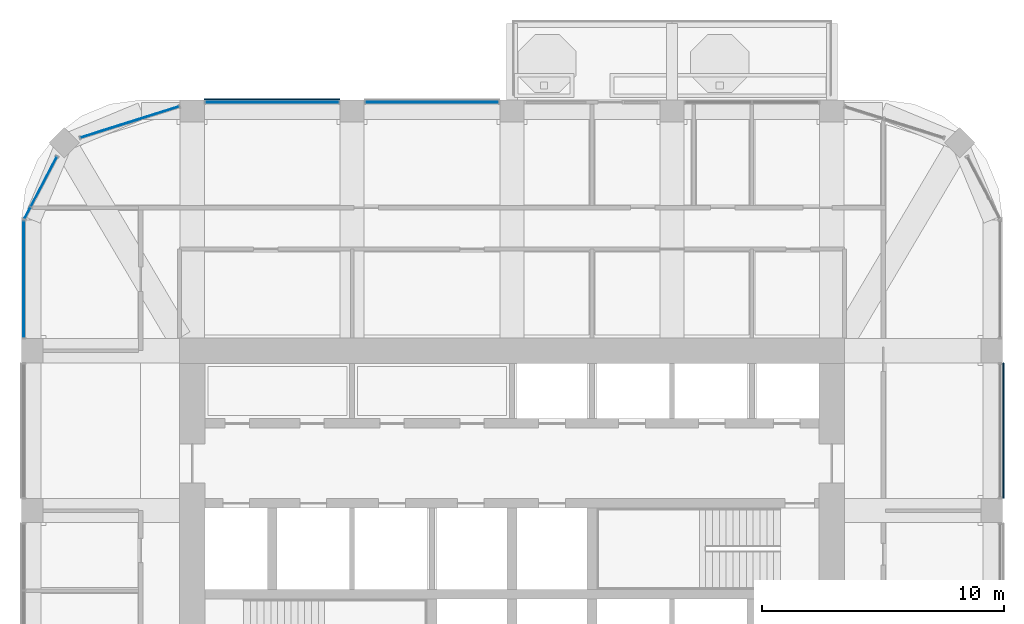
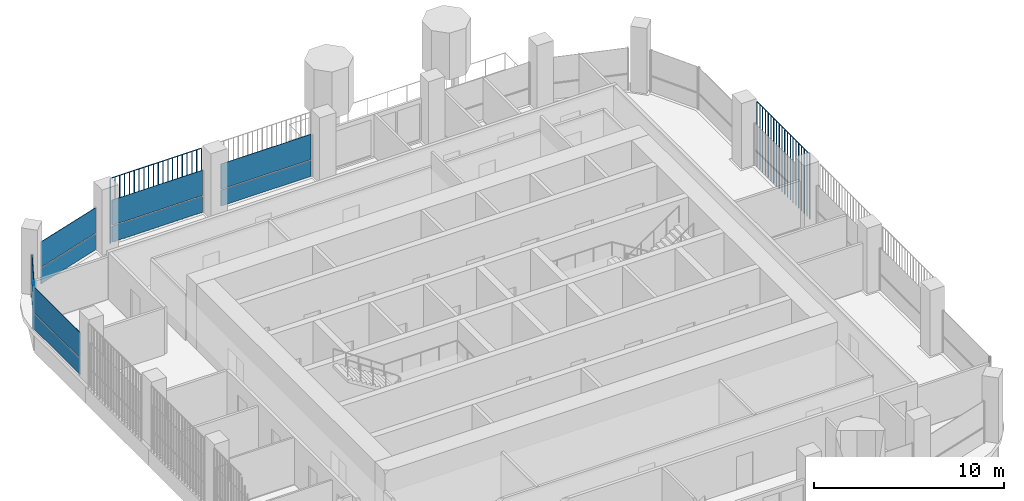
# One storey, part 12 of 21: 14 plates, 5 elements without a shape of their own.
"""IFC4 building model written with IfcOpenShell, lengths in metres."""

from ifc_helpers import new_model, si_unit, direction, frame, origin, origin_2d, place, context, subcontext, project, spatial, polyline, rectangle, outline, extrude, material, layer, layer_set, type_object, element, aggregate, save


model = new_model("IFC4")

# Units and contexts
model_context = context("Model", 3, precision=1e-05, world=origin(), true_north=direction((0.0, 1.0)))
body_context = subcontext(model_context, "Body", "Model", "MODEL_VIEW")
ifc_project = project(units=[si_unit("LENGTHUNIT", "METRE"), si_unit("AREAUNIT", "SQUARE_METRE"), si_unit("VOLUMEUNIT", "CUBIC_METRE"), si_unit("PLANEANGLEUNIT", "RADIAN"), si_unit("MASSUNIT", "GRAM", prefix="KILO")], contexts=[model_context])

# Site, building, storey
site_placement = place(None, origin())
site = spatial("IfcSite", under=ifc_project, at=site_placement, CompositionType="ELEMENT")
building_placement = place(site_placement, origin())
building = spatial("IfcBuilding", under=site, at=building_placement, Name="Cobogo Forest Laboratory Tower", CompositionType="ELEMENT")
storey_placement = place(building_placement, frame((0.0, 0.0, 283.800048828125)))
storey = spatial("IfcBuildingStorey", under=building, at=storey_placement, Name="L65", CompositionType="ELEMENT", Elevation=283.800048828125)

# Curtain wall, plates
ifc_material_1 = material(Name="Aluminium curtain wall", Category="aluminium")
curtain_wall_type = type_object("IfcCurtainWallType", Name="CW-2 unitised curtain wall, solar control glazing, laboratory floors zones C and D", PredefinedType="USERDEFINED", material=ifc_material_1)
curtain_wall_1_placement = place(storey_placement, origin())
curtain_wall_1 = element("IfcCurtainWall", 1, at=curtain_wall_1_placement, inside=storey, type_object=curtain_wall_type, Name="Curtain wall 16 L65", ObjectType="UNITISED CURTAIN WALL", PredefinedType="USERDEFINED")
ifc_material_2 = material(Name="Solar control insulated glass", Category="glass")
ifc_layer = layer(ifc_material_2, 0.031982421875)
ifc_layer_set = layer_set([ifc_layer], Name="GP-2 solar control glass unit 32")
plate_type_1 = type_object("IfcPlateType", Name="GP-2 solar control glass unit 32", PredefinedType="CURTAIN_PANEL", material=ifc_layer_set)
plate_1_placement = place(storey_placement, frame((23.10009765625, 43.25, 0.0), z_axis=(0.0, 0.0, 1.0), x_axis=(-1.0, 0.0, 0.0)))
plate_1 = element("IfcPlate", 2, at=plate_1_placement, type_object=plate_type_1, Name="CW-2 panel 1.1", PredefinedType="CURTAIN_PANEL", context=body_context, shape_type="SweptSolid", body=[
    extrude(rectangle(XDim=5.47998046875, YDim=0.031982421875, at=origin_2d()), origin(), (0.0, 0.0, 1.0), 1.02001953125),
])
plate_2_placement = place(storey_placement, frame((23.10009765625, 43.25, 1.079833984375), z_axis=(0.0, 0.0, 1.0), x_axis=(-1.0, 0.0, 0.0)))
plate_2 = element("IfcPlate", 3, at=plate_2_placement, type_object=plate_type_1, Name="CW-2 panel 1.2", PredefinedType="CURTAIN_PANEL", context=body_context, shape_type="SweptSolid", body=[
    extrude(rectangle(XDim=5.47998046875, YDim=0.031982421875, at=origin_2d()), origin(), (0.0, 0.0, 1.0), 1.6201171875),
])
aggregate(curtain_wall_1, [plate_1, plate_2])

curtain_wall_2_placement = place(storey_placement, origin())
curtain_wall_2 = element("IfcCurtainWall", 4, at=curtain_wall_2_placement, inside=storey, type_object=curtain_wall_type, Name="Curtain wall 17 L65", ObjectType="UNITISED CURTAIN WALL", PredefinedType="USERDEFINED")
plate_3_placement = place(storey_placement, frame((16.5, 43.25, 0.0), z_axis=(0.0, 0.0, 1.0), x_axis=(-1.0, 0.0, 0.0)))
plate_3 = element("IfcPlate", 5, at=plate_3_placement, type_object=plate_type_1, Name="CW-2 panel 1.1", PredefinedType="CURTAIN_PANEL", context=body_context, shape_type="SweptSolid", body=[
    extrude(rectangle(XDim=5.47998046875, YDim=0.031982421875, at=origin_2d()), origin(), (0.0, 0.0, 1.0), 1.02001953125),
])
plate_4_placement = place(storey_placement, frame((16.5, 43.25, 1.079833984375), z_axis=(0.0, 0.0, 1.0), x_axis=(-1.0, 0.0, 0.0)))
plate_4 = element("IfcPlate", 6, at=plate_4_placement, type_object=plate_type_1, Name="CW-2 panel 1.2", PredefinedType="CURTAIN_PANEL", context=body_context, shape_type="SweptSolid", body=[
    extrude(rectangle(XDim=5.47998046875, YDim=0.031982421875, at=origin_2d()), origin(), (0.0, 0.0, 1.0), 1.6201171875),
])
aggregate(curtain_wall_2, [plate_3, plate_4])

curtain_wall_3_placement = place(storey_placement, origin())
curtain_wall_3 = element("IfcCurtainWall", 7, at=curtain_wall_3_placement, inside=storey, type_object=curtain_wall_type, Name="Curtain wall 18 L65", ObjectType="UNITISED CURTAIN WALL", PredefinedType="USERDEFINED")
plate_5_placement = place(storey_placement, frame((10.62060546875, 42.435546875, 0.0), z_axis=(0.0, 0.0, 1.0), x_axis=(-0.953581379409, -0.301135439371, 0.0)))
plate_5 = element("IfcPlate", 8, at=plate_5_placement, type_object=plate_type_1, Name="CW-2 panel 1.1", PredefinedType="CURTAIN_PANEL", context=body_context, shape_type="SweptSolid", body=[
    extrude(rectangle(XDim=4.240966796875, YDim=0.031982421875, at=origin_2d()), origin(), (0.0, 0.0, 1.0), 1.02001953125),
])
plate_6_placement = place(storey_placement, frame((10.62060546875, 42.435546875, 1.079833984375), z_axis=(0.0, 0.0, 1.0), x_axis=(-0.953581379409, -0.301135439371, 0.0)))
plate_6 = element("IfcPlate", 9, at=plate_6_placement, type_object=plate_type_1, Name="CW-2 panel 1.2", PredefinedType="CURTAIN_PANEL", context=body_context, shape_type="SweptSolid", body=[
    extrude(rectangle(XDim=4.240966796875, YDim=0.031982421875, at=origin_2d()), origin(), (0.0, 0.0, 1.0), 1.6201171875),
])
aggregate(curtain_wall_3, [plate_5, plate_6])

curtain_wall_4_placement = place(storey_placement, origin())
curtain_wall_4 = element("IfcCurtainWall", 10, at=curtain_wall_4_placement, inside=storey, type_object=curtain_wall_type, Name="Curtain wall 19 L65", ObjectType="UNITISED CURTAIN WALL", PredefinedType="USERDEFINED")
plate_7_placement = place(storey_placement, frame((7.076904296875, 39.977294921875, 0.0), z_axis=(0.0, 0.0, 1.0), x_axis=(-0.464283778337, -0.885686498245, 0.0)))
plate_7 = element("IfcPlate", 11, at=plate_7_placement, type_object=plate_type_1, Name="CW-2 panel 1.1", PredefinedType="CURTAIN_PANEL", context=body_context, shape_type="SweptSolid", body=[
    extrude(rectangle(XDim=2.28857421875, YDim=0.031982421875, at=origin_2d()), origin(), (0.0, 0.0, 1.0), 1.02001953125),
])
plate_8_placement = place(storey_placement, frame((7.076904296875, 39.977294921875, 1.079833984375), z_axis=(0.0, 0.0, 1.0), x_axis=(-0.464283778337, -0.885686498245, 0.0)))
plate_8 = element("IfcPlate", 12, at=plate_8_placement, type_object=plate_type_1, Name="CW-2 panel 1.2", PredefinedType="CURTAIN_PANEL", context=body_context, shape_type="SweptSolid", body=[
    extrude(rectangle(XDim=2.28857421875, YDim=0.031982421875, at=origin_2d()), origin(), (0.0, 0.0, 1.0), 1.6201171875),
])
plate_9_placement = place(storey_placement, frame((6.397705078125, 38.681884765625, 0.0), z_axis=(0.0, 0.0, 1.0), x_axis=(-0.464283778337, -0.885686498245, 0.0)))
plate_9 = element("IfcPlate", 13, at=plate_9_placement, type_object=plate_type_1, Name="CW-2 panel 2.1", PredefinedType="CURTAIN_PANEL", context=body_context, shape_type="SweptSolid", body=[
    extrude(rectangle(XDim=0.516357421875, YDim=0.031982421875, at=origin_2d()), origin(), (0.0, 0.0, 1.0), 1.02001953125),
])
plate_10_placement = place(storey_placement, frame((6.397705078125, 38.681884765625, 1.079833984375), z_axis=(0.0, 0.0, 1.0), x_axis=(-0.464283778337, -0.885686498245, 0.0)))
plate_10 = element("IfcPlate", 14, at=plate_10_placement, type_object=plate_type_1, Name="CW-2 panel 2.2", PredefinedType="CURTAIN_PANEL", context=body_context, shape_type="SweptSolid", body=[
    extrude(rectangle(XDim=0.516357421875, YDim=0.031982421875, at=origin_2d()), origin(), (0.0, 0.0, 1.0), 1.6201171875),
])
aggregate(curtain_wall_4, [plate_7, plate_8, plate_9, plate_10])

curtain_wall_5_placement = place(storey_placement, origin())
curtain_wall_5 = element("IfcCurtainWall", 15, at=curtain_wall_5_placement, inside=storey, type_object=curtain_wall_type, Name="Curtain wall 20 L65", ObjectType="UNITISED CURTAIN WALL", PredefinedType="USERDEFINED")
plate_11_placement = place(storey_placement, frame((6.25, 35.949951171875, 0.0), z_axis=(0.0, 0.0, 1.0), x_axis=(0.0, -1.0, 0.0)))
plate_11 = element("IfcPlate", 16, at=plate_11_placement, type_object=plate_type_1, Name="CW-2 panel 1.1", PredefinedType="CURTAIN_PANEL", context=body_context, shape_type="SweptSolid", body=[
    extrude(rectangle(XDim=4.780029296875, YDim=0.031982421875, at=origin_2d()), origin(), (0.0, 0.0, 1.0), 1.02001953125),
])
plate_12_placement = place(storey_placement, frame((6.25, 35.949951171875, 1.079833984375), z_axis=(0.0, 0.0, 1.0), x_axis=(0.0, -1.0, 0.0)))
plate_12 = element("IfcPlate", 17, at=plate_12_placement, type_object=plate_type_1, Name="CW-2 panel 1.2", PredefinedType="CURTAIN_PANEL", context=body_context, shape_type="SweptSolid", body=[
    extrude(rectangle(XDim=4.780029296875, YDim=0.031982421875, at=origin_2d()), origin(), (0.0, 0.0, 1.0), 1.6201171875),
])
aggregate(curtain_wall_5, [plate_11, plate_12])

# Plates
ifc_material_3 = material(Name="Terracotta", Category="masonry")
plate_type_2 = type_object("IfcPlateType", Name="TB1 terracotta baguette screen", PredefinedType="USERDEFINED", material=ifc_material_3)
plate_13_placement = place(storey_placement, frame((46.677978515625, 26.93115234375, -0.150146484375)))
element("IfcPlate", 18, at=plate_13_placement, inside=storey, type_object=plate_type_2, Name="Baguette screen E3 L65", ObjectType="BAGUETTE SCREEN", PredefinedType="USERDEFINED", context=body_context, shape_type="SweptSolid", body=[
    extrude(outline(polyline([(0.02880859375, 0.011962890625), (0.011962890625, 0.02880859375), (-0.011962890625, 0.02880859375), (-0.02880859375, 0.011962890625), (-0.02880859375, -0.011962890625), (-0.011962890625, -0.02880859375), (0.011962890625, -0.02880859375), (0.02880859375, -0.011962890625), (0.02880859375, 0.011962890625)])), frame((0.0, 0.0, 4.168701171875), z_axis=(0.0, 1.0, 0.0), x_axis=(-1.0, 0.0, 0.0)), (0.0, 0.0, 1.0), 5.53759765625),
    extrude(outline(polyline([(0.02880859375, 0.011962890625), (0.011962890625, 0.02880859375), (-0.011962890625, 0.02880859375), (-0.02880859375, 0.011962890625), (-0.02880859375, -0.011962890625), (-0.011962890625, -0.02880859375), (0.011962890625, -0.02880859375), (0.02880859375, -0.011962890625), (0.02880859375, 0.011962890625)])), origin(), (0.0, 0.0, 1.0), 4.137451171875),
    extrude(outline(polyline([(0.02880859375, 0.011962890625), (0.011962890625, 0.02880859375), (-0.011962890625, 0.02880859375), (-0.02880859375, 0.011962890625), (-0.02880859375, -0.011962890625), (-0.011962890625, -0.02880859375), (0.011962890625, -0.02880859375), (0.02880859375, -0.011962890625), (0.02880859375, 0.011962890625)])), frame((0.0, 0.29150390625, 0.0)), (0.0, 0.0, 1.0), 4.137451171875),
    extrude(outline(polyline([(0.02880859375, 0.011962890625), (0.011962890625, 0.02880859375), (-0.011962890625, 0.02880859375), (-0.02880859375, 0.011962890625), (-0.02880859375, -0.011962890625), (-0.011962890625, -0.02880859375), (0.011962890625, -0.02880859375), (0.02880859375, -0.011962890625), (0.02880859375, 0.011962890625)])), frame((0.0, 0.5830078125, 0.0)), (0.0, 0.0, 1.0), 4.137451171875),
    extrude(outline(polyline([(0.02880859375, 0.011962890625), (0.011962890625, 0.02880859375), (-0.011962890625, 0.02880859375), (-0.02880859375, 0.011962890625), (-0.02880859375, -0.011962890625), (-0.011962890625, -0.02880859375), (0.011962890625, -0.02880859375), (0.02880859375, -0.011962890625), (0.02880859375, 0.011962890625)])), frame((0.0, 0.874267578125, 0.0)), (0.0, 0.0, 1.0), 4.137451171875),
    extrude(outline(polyline([(0.02880859375, 0.011962890625), (0.011962890625, 0.02880859375), (-0.011962890625, 0.02880859375), (-0.02880859375, 0.011962890625), (-0.02880859375, -0.011962890625), (-0.011962890625, -0.02880859375), (0.011962890625, -0.02880859375), (0.02880859375, -0.011962890625), (0.02880859375, 0.011962890625)])), frame((0.0, 1.165771484375, 0.0)), (0.0, 0.0, 1.0), 4.137451171875),
    extrude(outline(polyline([(0.02880859375, 0.011962890625), (0.011962890625, 0.02880859375), (-0.011962890625, 0.02880859375), (-0.02880859375, 0.011962890625), (-0.02880859375, -0.011962890625), (-0.011962890625, -0.02880859375), (0.011962890625, -0.02880859375), (0.02880859375, -0.011962890625), (0.02880859375, 0.011962890625)])), frame((0.0, 1.457275390625, 0.0)), (0.0, 0.0, 1.0), 4.137451171875),
    extrude(outline(polyline([(0.02880859375, 0.011962890625), (0.011962890625, 0.02880859375), (-0.011962890625, 0.02880859375), (-0.02880859375, 0.011962890625), (-0.02880859375, -0.011962890625), (-0.011962890625, -0.02880859375), (0.011962890625, -0.02880859375), (0.02880859375, -0.011962890625), (0.02880859375, 0.011962890625)])), frame((0.0, 1.748779296875, 0.0)), (0.0, 0.0, 1.0), 4.137451171875),
    extrude(outline(polyline([(0.02880859375, 0.011962890625), (0.011962890625, 0.02880859375), (-0.011962890625, 0.02880859375), (-0.02880859375, 0.011962890625), (-0.02880859375, -0.011962890625), (-0.011962890625, -0.02880859375), (0.011962890625, -0.02880859375), (0.02880859375, -0.011962890625), (0.02880859375, 0.011962890625)])), frame((0.0, 2.040283203125, 0.0)), (0.0, 0.0, 1.0), 4.137451171875),
    extrude(outline(polyline([(0.02880859375, 0.011962890625), (0.011962890625, 0.02880859375), (-0.011962890625, 0.02880859375), (-0.02880859375, 0.011962890625), (-0.02880859375, -0.011962890625), (-0.011962890625, -0.02880859375), (0.011962890625, -0.02880859375), (0.02880859375, -0.011962890625), (0.02880859375, 0.011962890625)])), frame((0.0, 2.33154296875, 0.0)), (0.0, 0.0, 1.0), 4.137451171875),
    extrude(outline(polyline([(0.02880859375, 0.011962890625), (0.011962890625, 0.02880859375), (-0.011962890625, 0.02880859375), (-0.02880859375, 0.011962890625), (-0.02880859375, -0.011962890625), (-0.011962890625, -0.02880859375), (0.011962890625, -0.02880859375), (0.02880859375, -0.011962890625), (0.02880859375, 0.011962890625)])), frame((0.0, 2.623046875, 0.0)), (0.0, 0.0, 1.0), 4.137451171875),
    extrude(outline(polyline([(0.02880859375, 0.011962890625), (0.011962890625, 0.02880859375), (-0.011962890625, 0.02880859375), (-0.02880859375, 0.011962890625), (-0.02880859375, -0.011962890625), (-0.011962890625, -0.02880859375), (0.011962890625, -0.02880859375), (0.02880859375, -0.011962890625), (0.02880859375, 0.011962890625)])), frame((0.0, 2.91455078125, 0.0)), (0.0, 0.0, 1.0), 4.137451171875),
    extrude(outline(polyline([(0.02880859375, 0.011962890625), (0.011962890625, 0.02880859375), (-0.011962890625, 0.02880859375), (-0.02880859375, 0.011962890625), (-0.02880859375, -0.011962890625), (-0.011962890625, -0.02880859375), (0.011962890625, -0.02880859375), (0.02880859375, -0.011962890625), (0.02880859375, 0.011962890625)])), frame((0.0, 3.2060546875, 0.0)), (0.0, 0.0, 1.0), 4.137451171875),
    extrude(outline(polyline([(0.02880859375, 0.011962890625), (0.011962890625, 0.02880859375), (-0.011962890625, 0.02880859375), (-0.02880859375, 0.011962890625), (-0.02880859375, -0.011962890625), (-0.011962890625, -0.02880859375), (0.011962890625, -0.02880859375), (0.02880859375, -0.011962890625), (0.02880859375, 0.011962890625)])), frame((0.0, 3.497314453125, 0.0)), (0.0, 0.0, 1.0), 4.137451171875),
    extrude(outline(polyline([(0.02880859375, 0.011962890625), (0.011962890625, 0.02880859375), (-0.011962890625, 0.02880859375), (-0.02880859375, 0.011962890625), (-0.02880859375, -0.011962890625), (-0.011962890625, -0.02880859375), (0.011962890625, -0.02880859375), (0.02880859375, -0.011962890625), (0.02880859375, 0.011962890625)])), frame((0.0, 3.788818359375, 0.0)), (0.0, 0.0, 1.0), 4.137451171875),
    extrude(outline(polyline([(0.02880859375, 0.011962890625), (0.011962890625, 0.02880859375), (-0.011962890625, 0.02880859375), (-0.02880859375, 0.011962890625), (-0.02880859375, -0.011962890625), (-0.011962890625, -0.02880859375), (0.011962890625, -0.02880859375), (0.02880859375, -0.011962890625), (0.02880859375, 0.011962890625)])), frame((0.0, 4.080322265625, 0.0)), (0.0, 0.0, 1.0), 4.137451171875),
    extrude(outline(polyline([(0.02880859375, 0.011962890625), (0.011962890625, 0.02880859375), (-0.011962890625, 0.02880859375), (-0.02880859375, 0.011962890625), (-0.02880859375, -0.011962890625), (-0.011962890625, -0.02880859375), (0.011962890625, -0.02880859375), (0.02880859375, -0.011962890625), (0.02880859375, 0.011962890625)])), frame((0.0, 4.371826171875, 0.0)), (0.0, 0.0, 1.0), 4.137451171875),
    extrude(outline(polyline([(0.02880859375, 0.011962890625), (0.011962890625, 0.02880859375), (-0.011962890625, 0.02880859375), (-0.02880859375, 0.011962890625), (-0.02880859375, -0.011962890625), (-0.011962890625, -0.02880859375), (0.011962890625, -0.02880859375), (0.02880859375, -0.011962890625), (0.02880859375, 0.011962890625)])), frame((0.0, 4.663330078125, 0.0)), (0.0, 0.0, 1.0), 4.137451171875),
    extrude(outline(polyline([(0.02880859375, 0.011962890625), (0.011962890625, 0.02880859375), (-0.011962890625, 0.02880859375), (-0.02880859375, 0.011962890625), (-0.02880859375, -0.011962890625), (-0.011962890625, -0.02880859375), (0.011962890625, -0.02880859375), (0.02880859375, -0.011962890625), (0.02880859375, 0.011962890625)])), frame((0.0, 4.95458984375, 0.0)), (0.0, 0.0, 1.0), 4.137451171875),
    extrude(outline(polyline([(0.02880859375, 0.011962890625), (0.011962890625, 0.02880859375), (-0.011962890625, 0.02880859375), (-0.02880859375, 0.011962890625), (-0.02880859375, -0.011962890625), (-0.011962890625, -0.02880859375), (0.011962890625, -0.02880859375), (0.02880859375, -0.011962890625), (0.02880859375, 0.011962890625)])), frame((0.0, 5.24609375, 0.0)), (0.0, 0.0, 1.0), 4.137451171875),
    extrude(outline(polyline([(0.02880859375, 0.011962890625), (0.011962890625, 0.02880859375), (-0.011962890625, 0.02880859375), (-0.02880859375, 0.011962890625), (-0.02880859375, -0.011962890625), (-0.011962890625, -0.02880859375), (0.011962890625, -0.02880859375), (0.02880859375, -0.011962890625), (0.02880859375, 0.011962890625)])), frame((0.0, 5.53759765625, 0.0)), (0.0, 0.0, 1.0), 4.137451171875),
])
plate_14_placement = place(storey_placement, frame((13.731201171875, 43.3779296875, -0.150146484375)))
element("IfcPlate", 19, at=plate_14_placement, inside=storey, type_object=plate_type_2, Name="Baguette screen N1 L65", ObjectType="BAGUETTE SCREEN", PredefinedType="USERDEFINED", context=body_context, shape_type="SweptSolid", body=[
    extrude(outline(polyline([(0.02880859375, 0.011962890625), (0.011962890625, 0.02880859375), (-0.011962890625, 0.02880859375), (-0.02880859375, 0.011962890625), (-0.02880859375, -0.011962890625), (-0.011962890625, -0.02880859375), (0.011962890625, -0.02880859375), (0.02880859375, -0.011962890625), (0.02880859375, 0.011962890625)])), frame((0.0, 0.0, 4.168701171875), z_axis=(1.0, 0.0, 0.0), x_axis=(0.0, 1.0, 0.0)), (0.0, 0.0, 1.0), 5.53759765625),
    extrude(outline(polyline([(0.02880859375, 0.011962890625), (0.011962890625, 0.02880859375), (-0.011962890625, 0.02880859375), (-0.02880859375, 0.011962890625), (-0.02880859375, -0.011962890625), (-0.011962890625, -0.02880859375), (0.011962890625, -0.02880859375), (0.02880859375, -0.011962890625), (0.02880859375, 0.011962890625)])), origin(), (0.0, 0.0, 1.0), 4.137451171875),
    extrude(outline(polyline([(0.02880859375, 0.011962890625), (0.011962890625, 0.02880859375), (-0.011962890625, 0.02880859375), (-0.02880859375, 0.011962890625), (-0.02880859375, -0.011962890625), (-0.011962890625, -0.02880859375), (0.011962890625, -0.02880859375), (0.02880859375, -0.011962890625), (0.02880859375, 0.011962890625)])), frame((0.29150390625, 0.0, 0.0)), (0.0, 0.0, 1.0), 4.137451171875),
    extrude(outline(polyline([(0.02880859375, 0.011962890625), (0.011962890625, 0.02880859375), (-0.011962890625, 0.02880859375), (-0.02880859375, 0.011962890625), (-0.02880859375, -0.011962890625), (-0.011962890625, -0.02880859375), (0.011962890625, -0.02880859375), (0.02880859375, -0.011962890625), (0.02880859375, 0.011962890625)])), frame((0.5830078125, 0.0, 0.0)), (0.0, 0.0, 1.0), 4.137451171875),
    extrude(outline(polyline([(0.02880859375, 0.011962890625), (0.011962890625, 0.02880859375), (-0.011962890625, 0.02880859375), (-0.02880859375, 0.011962890625), (-0.02880859375, -0.011962890625), (-0.011962890625, -0.02880859375), (0.011962890625, -0.02880859375), (0.02880859375, -0.011962890625), (0.02880859375, 0.011962890625)])), frame((0.874267578125, 0.0, 0.0)), (0.0, 0.0, 1.0), 4.137451171875),
    extrude(outline(polyline([(0.02880859375, 0.011962890625), (0.011962890625, 0.02880859375), (-0.011962890625, 0.02880859375), (-0.02880859375, 0.011962890625), (-0.02880859375, -0.011962890625), (-0.011962890625, -0.02880859375), (0.011962890625, -0.02880859375), (0.02880859375, -0.011962890625), (0.02880859375, 0.011962890625)])), frame((1.165771484375, 0.0, 0.0)), (0.0, 0.0, 1.0), 4.137451171875),
    extrude(outline(polyline([(0.02880859375, 0.011962890625), (0.011962890625, 0.02880859375), (-0.011962890625, 0.02880859375), (-0.02880859375, 0.011962890625), (-0.02880859375, -0.011962890625), (-0.011962890625, -0.02880859375), (0.011962890625, -0.02880859375), (0.02880859375, -0.011962890625), (0.02880859375, 0.011962890625)])), frame((1.457275390625, 0.0, 0.0)), (0.0, 0.0, 1.0), 4.137451171875),
    extrude(outline(polyline([(0.02880859375, 0.011962890625), (0.011962890625, 0.02880859375), (-0.011962890625, 0.02880859375), (-0.02880859375, 0.011962890625), (-0.02880859375, -0.011962890625), (-0.011962890625, -0.02880859375), (0.011962890625, -0.02880859375), (0.02880859375, -0.011962890625), (0.02880859375, 0.011962890625)])), frame((1.748779296875, 0.0, 0.0)), (0.0, 0.0, 1.0), 4.137451171875),
    extrude(outline(polyline([(0.02880859375, 0.011962890625), (0.011962890625, 0.02880859375), (-0.011962890625, 0.02880859375), (-0.02880859375, 0.011962890625), (-0.02880859375, -0.011962890625), (-0.011962890625, -0.02880859375), (0.011962890625, -0.02880859375), (0.02880859375, -0.011962890625), (0.02880859375, 0.011962890625)])), frame((2.040283203125, 0.0, 0.0)), (0.0, 0.0, 1.0), 4.137451171875),
    extrude(outline(polyline([(0.02880859375, 0.011962890625), (0.011962890625, 0.02880859375), (-0.011962890625, 0.02880859375), (-0.02880859375, 0.011962890625), (-0.02880859375, -0.011962890625), (-0.011962890625, -0.02880859375), (0.011962890625, -0.02880859375), (0.02880859375, -0.011962890625), (0.02880859375, 0.011962890625)])), frame((2.33154296875, 0.0, 0.0)), (0.0, 0.0, 1.0), 4.137451171875),
    extrude(outline(polyline([(0.02880859375, 0.011962890625), (0.011962890625, 0.02880859375), (-0.011962890625, 0.02880859375), (-0.02880859375, 0.011962890625), (-0.02880859375, -0.011962890625), (-0.011962890625, -0.02880859375), (0.011962890625, -0.02880859375), (0.02880859375, -0.011962890625), (0.02880859375, 0.011962890625)])), frame((2.623046875, 0.0, 0.0)), (0.0, 0.0, 1.0), 4.137451171875),
    extrude(outline(polyline([(0.02880859375, 0.011962890625), (0.011962890625, 0.02880859375), (-0.011962890625, 0.02880859375), (-0.02880859375, 0.011962890625), (-0.02880859375, -0.011962890625), (-0.011962890625, -0.02880859375), (0.011962890625, -0.02880859375), (0.02880859375, -0.011962890625), (0.02880859375, 0.011962890625)])), frame((2.91455078125, 0.0, 0.0)), (0.0, 0.0, 1.0), 4.137451171875),
    extrude(outline(polyline([(0.02880859375, 0.011962890625), (0.011962890625, 0.02880859375), (-0.011962890625, 0.02880859375), (-0.02880859375, 0.011962890625), (-0.02880859375, -0.011962890625), (-0.011962890625, -0.02880859375), (0.011962890625, -0.02880859375), (0.02880859375, -0.011962890625), (0.02880859375, 0.011962890625)])), frame((3.2060546875, 0.0, 0.0)), (0.0, 0.0, 1.0), 4.137451171875),
    extrude(outline(polyline([(0.02880859375, 0.011962890625), (0.011962890625, 0.02880859375), (-0.011962890625, 0.02880859375), (-0.02880859375, 0.011962890625), (-0.02880859375, -0.011962890625), (-0.011962890625, -0.02880859375), (0.011962890625, -0.02880859375), (0.02880859375, -0.011962890625), (0.02880859375, 0.011962890625)])), frame((3.497314453125, 0.0, 0.0)), (0.0, 0.0, 1.0), 4.137451171875),
    extrude(outline(polyline([(0.02880859375, 0.011962890625), (0.011962890625, 0.02880859375), (-0.011962890625, 0.02880859375), (-0.02880859375, 0.011962890625), (-0.02880859375, -0.011962890625), (-0.011962890625, -0.02880859375), (0.011962890625, -0.02880859375), (0.02880859375, -0.011962890625), (0.02880859375, 0.011962890625)])), frame((3.788818359375, 0.0, 0.0)), (0.0, 0.0, 1.0), 4.137451171875),
    extrude(outline(polyline([(0.02880859375, 0.011962890625), (0.011962890625, 0.02880859375), (-0.011962890625, 0.02880859375), (-0.02880859375, 0.011962890625), (-0.02880859375, -0.011962890625), (-0.011962890625, -0.02880859375), (0.011962890625, -0.02880859375), (0.02880859375, -0.011962890625), (0.02880859375, 0.011962890625)])), frame((4.080322265625, 0.0, 0.0)), (0.0, 0.0, 1.0), 4.137451171875),
    extrude(outline(polyline([(0.02880859375, 0.011962890625), (0.011962890625, 0.02880859375), (-0.011962890625, 0.02880859375), (-0.02880859375, 0.011962890625), (-0.02880859375, -0.011962890625), (-0.011962890625, -0.02880859375), (0.011962890625, -0.02880859375), (0.02880859375, -0.011962890625), (0.02880859375, 0.011962890625)])), frame((4.371826171875, 0.0, 0.0)), (0.0, 0.0, 1.0), 4.137451171875),
    extrude(outline(polyline([(0.02880859375, 0.011962890625), (0.011962890625, 0.02880859375), (-0.011962890625, 0.02880859375), (-0.02880859375, 0.011962890625), (-0.02880859375, -0.011962890625), (-0.011962890625, -0.02880859375), (0.011962890625, -0.02880859375), (0.02880859375, -0.011962890625), (0.02880859375, 0.011962890625)])), frame((4.663330078125, 0.0, 0.0)), (0.0, 0.0, 1.0), 4.137451171875),
    extrude(outline(polyline([(0.02880859375, 0.011962890625), (0.011962890625, 0.02880859375), (-0.011962890625, 0.02880859375), (-0.02880859375, 0.011962890625), (-0.02880859375, -0.011962890625), (-0.011962890625, -0.02880859375), (0.011962890625, -0.02880859375), (0.02880859375, -0.011962890625), (0.02880859375, 0.011962890625)])), frame((4.95458984375, 0.0, 0.0)), (0.0, 0.0, 1.0), 4.137451171875),
    extrude(outline(polyline([(0.02880859375, 0.011962890625), (0.011962890625, 0.02880859375), (-0.011962890625, 0.02880859375), (-0.02880859375, 0.011962890625), (-0.02880859375, -0.011962890625), (-0.011962890625, -0.02880859375), (0.011962890625, -0.02880859375), (0.02880859375, -0.011962890625), (0.02880859375, 0.011962890625)])), frame((5.24609375, 0.0, 0.0)), (0.0, 0.0, 1.0), 4.137451171875),
    extrude(outline(polyline([(0.02880859375, 0.011962890625), (0.011962890625, 0.02880859375), (-0.011962890625, 0.02880859375), (-0.02880859375, 0.011962890625), (-0.02880859375, -0.011962890625), (-0.011962890625, -0.02880859375), (0.011962890625, -0.02880859375), (0.02880859375, -0.011962890625), (0.02880859375, 0.011962890625)])), frame((5.53759765625, 0.0, 0.0)), (0.0, 0.0, 1.0), 4.137451171875),
])

save(model, "model.ifc")
